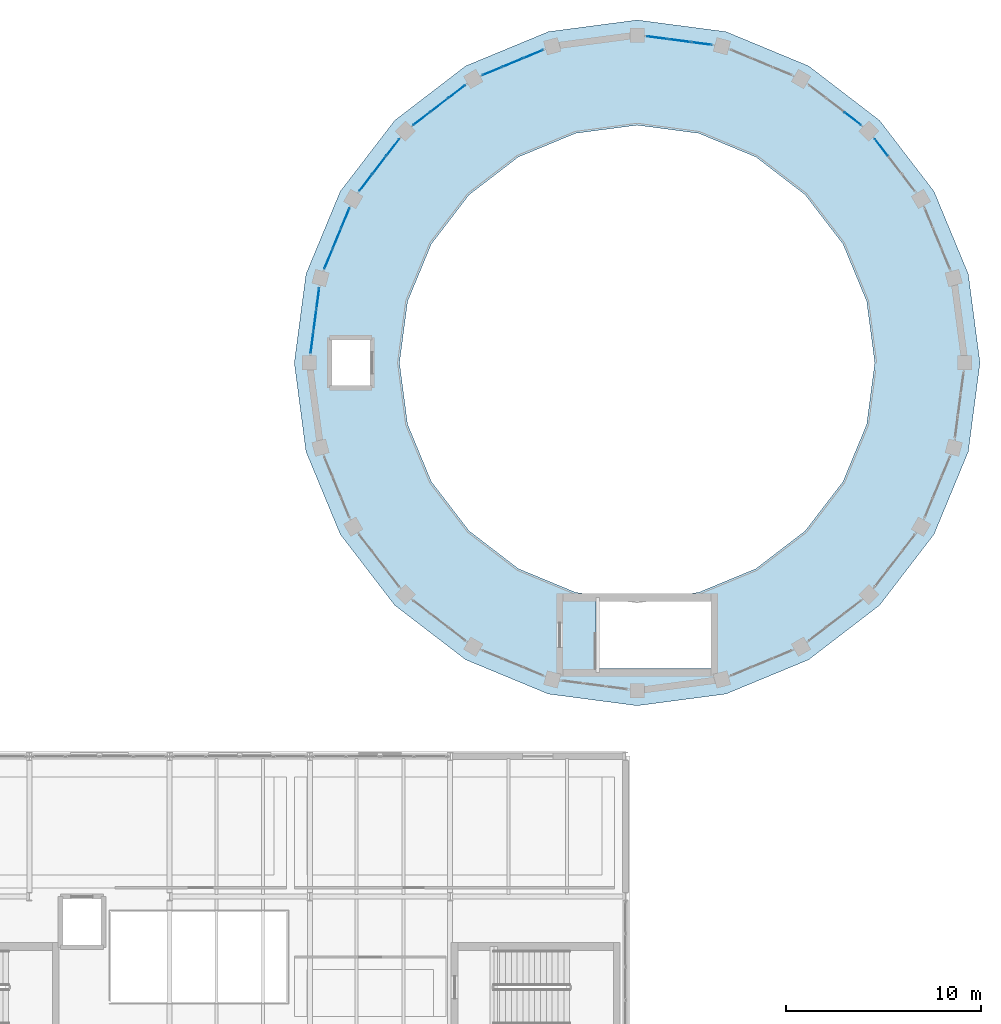
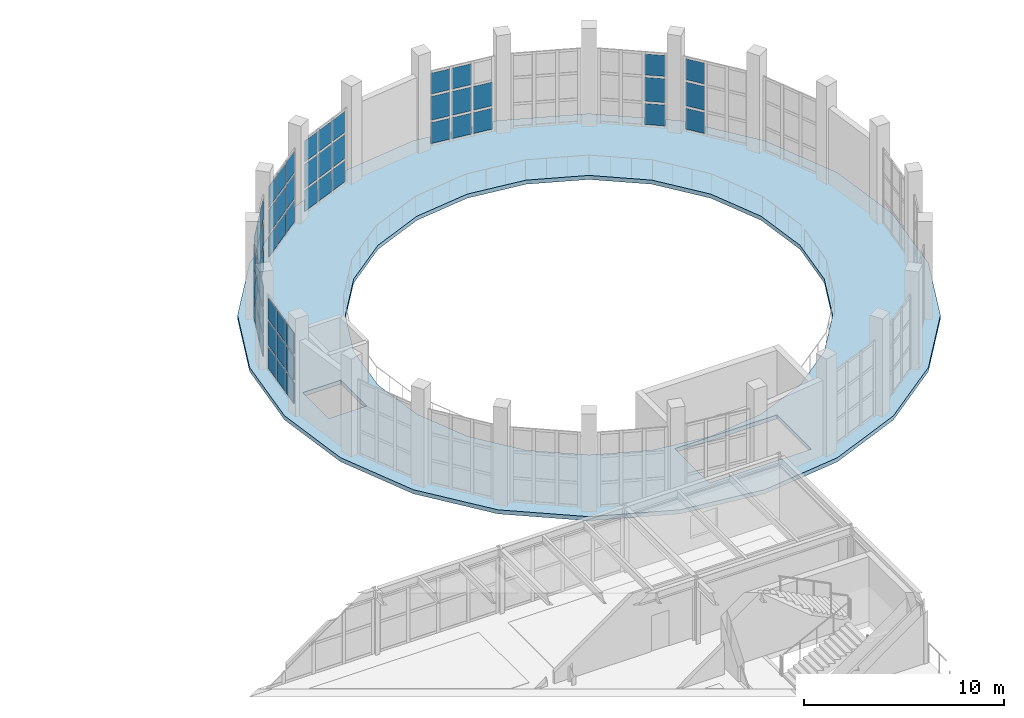
# One storey, part 38 of 59: 59 plates, 1 slab, 8 elements without a shape of their own.
"""IFC4 building model written with IfcOpenShell, lengths in metres."""

from ifc_helpers import new_model, si_unit, direction, frame, origin, origin_2d, place, context, subcontext, project, spatial, polyline, rectangle, outline, extrude, material, layer, layer_set, type_object, element, aggregate, save


model = new_model("IFC4")

# Units and contexts
model_context = context("Model", 3, precision=1e-05, world=origin(), true_north=direction((0.0, 1.0)))
body_context = subcontext(model_context, "Body", "Model", "MODEL_VIEW")
ifc_project = project(units=[si_unit("LENGTHUNIT", "METRE"), si_unit("AREAUNIT", "SQUARE_METRE"), si_unit("VOLUMEUNIT", "CUBIC_METRE"), si_unit("PLANEANGLEUNIT", "RADIAN"), si_unit("MASSUNIT", "GRAM", prefix="KILO")], contexts=[model_context])

# Site, building, storey
site_placement = place(None, origin())
site = spatial("IfcSite", under=ifc_project, at=site_placement, CompositionType="ELEMENT")
building_placement = place(site_placement, origin())
building = spatial("IfcBuilding", under=site, at=building_placement, Name="Kandorven Conservatory and Botanical Research Centre", CompositionType="ELEMENT")
storey_placement = place(building_placement, frame((0.0, 0.0, 4.800048828125)))
storey = spatial("IfcBuildingStorey", under=building, at=storey_placement, Name="L01", CompositionType="ELEMENT", Elevation=4.800048828125)

# Curtain wall, plates
ifc_material_1 = material(Name="Bronze anodised thermally broken aluminium", Category="aluminium")
ifc_layer_1 = layer(ifc_material_1, 0.179931640625)
ifc_layer_set_1 = layer_set([ifc_layer_1], Name="Bronze anodised thermally broken aluminium")
curtain_wall_type = type_object("IfcCurtainWallType", Name="CW_Clerestory", PredefinedType="USERDEFINED", material=ifc_layer_set_1)
curtain_wall_1_placement = place(storey_placement, origin())
curtain_wall_1 = element("IfcCurtainWall", 1, at=curtain_wall_1_placement, inside=storey, type_object=curtain_wall_type, Name="Conservatory drum clerestory glazing CW-DRUM-L01-03", ObjectType="CLERESTORY GLAZING", PredefinedType="USERDEFINED")
ifc_material_2 = material(Name="Double-glazed solar-control low-E glass", Category="glass")
ifc_layer_2 = layer(ifc_material_2, 0.028076171875)
ifc_layer_set_2 = layer_set([ifc_layer_2], Name="Double-glazed solar-control low-E glass")
plate_type = type_object("IfcPlateType", Name="CW_Panel", PredefinedType="CURTAIN_PANEL", material=ifc_layer_set_2)
plate_1_placement = place(storey_placement, frame((100.137451171875, 58.862548828125, 0.14990234375), z_axis=(0.0, 0.0, 1.0), x_axis=(-0.608769331471, 0.793347276456, 0.0)))
plate_1 = element("IfcPlate", 2, at=plate_1_placement, type_object=plate_type, Name="CW-02 panel 3.1", PredefinedType="CURTAIN_PANEL", context=body_context, shape_type="SweptSolid", body=[
    extrude(rectangle(XDim=1.044189453125, YDim=0.028076171875, at=origin_2d()), origin(), (0.0, 0.0, 1.0), 1.27490234375),
])
plate_2_placement = place(storey_placement, frame((100.137451171875, 58.862548828125, 1.5751953125), z_axis=(0.0, 0.0, 1.0), x_axis=(-0.608769331471, 0.793347276456, 0.0)))
plate_2 = element("IfcPlate", 3, at=plate_2_placement, type_object=plate_type, Name="CW-02 panel 3.2", PredefinedType="CURTAIN_PANEL", context=body_context, shape_type="SweptSolid", body=[
    extrude(rectangle(XDim=1.044189453125, YDim=0.028076171875, at=origin_2d()), origin(), (0.0, 0.0, 1.0), 1.449951171875),
])
plate_3_placement = place(storey_placement, frame((100.137451171875, 58.862548828125, 3.175048828125), z_axis=(0.0, 0.0, 1.0), x_axis=(-0.608769331471, 0.793347276456, 0.0)))
plate_3 = element("IfcPlate", 4, at=plate_3_placement, type_object=plate_type, Name="CW-02 panel 3.3", PredefinedType="CURTAIN_PANEL", context=body_context, shape_type="SweptSolid", body=[
    extrude(rectangle(XDim=1.044189453125, YDim=0.028076171875, at=origin_2d()), origin(), (0.0, 0.0, 1.0), 1.27490234375),
])
aggregate(curtain_wall_1, [plate_1, plate_2, plate_3])

curtain_wall_2_placement = place(storey_placement, origin())
curtain_wall_2 = element("IfcCurtainWall", 5, at=curtain_wall_2_placement, inside=storey, type_object=curtain_wall_type, Name="Conservatory drum clerestory glazing CW-DRUM-L01-04", ObjectType="CLERESTORY GLAZING", PredefinedType="USERDEFINED")
plate_4_placement = place(storey_placement, frame((98.662353515625, 60.33740234375, 0.14990234375), z_axis=(0.0, 0.0, 1.0), x_axis=(-0.793347276456, 0.608769331471, 0.0)))
plate_4 = element("IfcPlate", 6, at=plate_4_placement, type_object=plate_type, Name="CW-02 panel 1.1", PredefinedType="CURTAIN_PANEL", context=body_context, shape_type="SweptSolid", body=[
    extrude(rectangle(XDim=1.044189453125, YDim=0.028076171875, at=origin_2d()), origin(), (0.0, 0.0, 1.0), 1.27490234375),
])
plate_5_placement = place(storey_placement, frame((98.662353515625, 60.33740234375, 1.5751953125), z_axis=(0.0, 0.0, 1.0), x_axis=(-0.793347276456, 0.608769331471, 0.0)))
plate_5 = element("IfcPlate", 7, at=plate_5_placement, type_object=plate_type, Name="CW-02 panel 1.2", PredefinedType="CURTAIN_PANEL", context=body_context, shape_type="SweptSolid", body=[
    extrude(rectangle(XDim=1.044189453125, YDim=0.028076171875, at=origin_2d()), origin(), (0.0, 0.0, 1.0), 1.449951171875),
])
plate_6_placement = place(storey_placement, frame((98.662353515625, 60.33740234375, 3.175048828125), z_axis=(0.0, 0.0, 1.0), x_axis=(-0.793347276456, 0.608769331471, 0.0)))
plate_6 = element("IfcPlate", 8, at=plate_6_placement, type_object=plate_type, Name="CW-02 panel 1.3", PredefinedType="CURTAIN_PANEL", context=body_context, shape_type="SweptSolid", body=[
    extrude(rectangle(XDim=1.044189453125, YDim=0.028076171875, at=origin_2d()), origin(), (0.0, 0.0, 1.0), 1.27490234375),
])
aggregate(curtain_wall_2, [plate_4, plate_5, plate_6])

curtain_wall_3_placement = place(storey_placement, origin())
curtain_wall_3 = element("IfcCurtainWall", 9, at=curtain_wall_3_placement, inside=storey, type_object=curtain_wall_type, Name="Conservatory drum clerestory glazing CW-DRUM-L01-06", ObjectType="CLERESTORY GLAZING", PredefinedType="USERDEFINED")
plate_7_placement = place(storey_placement, frame((90.91162109375, 64.18896484375, 0.14990234375), z_axis=(0.0, 0.0, 1.0), x_axis=(-0.991441424913, 0.130552292075, 0.0)))
plate_7 = element("IfcPlate", 10, at=plate_7_placement, type_object=plate_type, Name="CW-02 panel 1.1", PredefinedType="CURTAIN_PANEL", context=body_context, shape_type="SweptSolid", body=[
    extrude(rectangle(XDim=1.0439453125, YDim=0.028076171875, at=origin_2d()), origin(), (0.0, 0.0, 1.0), 1.27490234375),
])
plate_8_placement = place(storey_placement, frame((90.91162109375, 64.18896484375, 1.5751953125), z_axis=(0.0, 0.0, 1.0), x_axis=(-0.991441424913, 0.130552292075, 0.0)))
plate_8 = element("IfcPlate", 11, at=plate_8_placement, type_object=plate_type, Name="CW-02 panel 1.2", PredefinedType="CURTAIN_PANEL", context=body_context, shape_type="SweptSolid", body=[
    extrude(rectangle(XDim=1.0439453125, YDim=0.028076171875, at=origin_2d()), origin(), (0.0, 0.0, 1.0), 1.449951171875),
])
plate_9_placement = place(storey_placement, frame((89.77734375, 64.33837890625, 0.14990234375), z_axis=(0.0, 0.0, 1.0), x_axis=(-0.991441424913, 0.130552292075, 0.0)))
plate_9 = element("IfcPlate", 12, at=plate_9_placement, type_object=plate_type, Name="CW-02 panel 2.1", PredefinedType="CURTAIN_PANEL", context=body_context, shape_type="SweptSolid", body=[
    extrude(rectangle(XDim=1.083984375, YDim=0.028076171875, at=origin_2d()), origin(), (0.0, 0.0, 1.0), 1.27490234375),
])
plate_10_placement = place(storey_placement, frame((89.77734375, 64.33837890625, 1.5751953125), z_axis=(0.0, 0.0, 1.0), x_axis=(-0.991441424913, 0.130552292075, 0.0)))
plate_10 = element("IfcPlate", 13, at=plate_10_placement, type_object=plate_type, Name="CW-02 panel 2.2", PredefinedType="CURTAIN_PANEL", context=body_context, shape_type="SweptSolid", body=[
    extrude(rectangle(XDim=1.083984375, YDim=0.028076171875, at=origin_2d()), origin(), (0.0, 0.0, 1.0), 1.449951171875),
])
plate_11_placement = place(storey_placement, frame((89.77734375, 64.33837890625, 3.175048828125), z_axis=(0.0, 0.0, 1.0), x_axis=(-0.991441424913, 0.130552292075, 0.0)))
plate_11 = element("IfcPlate", 14, at=plate_11_placement, type_object=plate_type, Name="CW-02 panel 2.3", PredefinedType="CURTAIN_PANEL", context=body_context, shape_type="SweptSolid", body=[
    extrude(rectangle(XDim=1.083984375, YDim=0.028076171875, at=origin_2d()), origin(), (0.0, 0.0, 1.0), 1.27490234375),
])
plate_12_placement = place(storey_placement, frame((88.64306640625, 64.48779296875, 0.14990234375), z_axis=(0.0, 0.0, 1.0), x_axis=(-0.991441424913, 0.130552292075, 0.0)))
plate_12 = element("IfcPlate", 15, at=plate_12_placement, type_object=plate_type, Name="CW-02 panel 3.1", PredefinedType="CURTAIN_PANEL", context=body_context, shape_type="SweptSolid", body=[
    extrude(rectangle(XDim=1.0439453125, YDim=0.028076171875, at=origin_2d()), origin(), (0.0, 0.0, 1.0), 1.27490234375),
])
plate_13_placement = place(storey_placement, frame((88.64306640625, 64.48779296875, 1.5751953125), z_axis=(0.0, 0.0, 1.0), x_axis=(-0.991441424913, 0.130552292075, 0.0)))
plate_13 = element("IfcPlate", 16, at=plate_13_placement, type_object=plate_type, Name="CW-02 panel 3.2", PredefinedType="CURTAIN_PANEL", context=body_context, shape_type="SweptSolid", body=[
    extrude(rectangle(XDim=1.0439453125, YDim=0.028076171875, at=origin_2d()), origin(), (0.0, 0.0, 1.0), 1.449951171875),
])
plate_14_placement = place(storey_placement, frame((88.64306640625, 64.48779296875, 3.175048828125), z_axis=(0.0, 0.0, 1.0), x_axis=(-0.991441424913, 0.130552292075, 0.0)))
plate_14 = element("IfcPlate", 17, at=plate_14_placement, type_object=plate_type, Name="CW-02 panel 3.3", PredefinedType="CURTAIN_PANEL", context=body_context, shape_type="SweptSolid", body=[
    extrude(rectangle(XDim=1.0439453125, YDim=0.028076171875, at=origin_2d()), origin(), (0.0, 0.0, 1.0), 1.27490234375),
])
aggregate(curtain_wall_3, [plate_7, plate_8, plate_9, plate_10, plate_11, plate_12, plate_13, plate_14])

curtain_wall_4_placement = place(storey_placement, origin())
curtain_wall_4 = element("IfcCurtainWall", 18, at=curtain_wall_4_placement, inside=storey, type_object=curtain_wall_type, Name="Conservatory drum clerestory glazing CW-DRUM-L01-08", ObjectType="CLERESTORY GLAZING", PredefinedType="USERDEFINED")
plate_15_placement = place(storey_placement, frame((82.2734375, 63.649169921875, 0.14990234375), z_axis=(0.0, 0.0, 1.0), x_axis=(-0.92388561262, -0.382668753353, 0.0)))
plate_15 = element("IfcPlate", 19, at=plate_15_placement, type_object=plate_type, Name="CW-02 panel 1.1", PredefinedType="CURTAIN_PANEL", context=body_context, shape_type="SweptSolid", body=[
    extrude(rectangle(XDim=1.044189453125, YDim=0.028076171875, at=origin_2d()), origin(), (0.0, 0.0, 1.0), 1.27490234375),
])
plate_16_placement = place(storey_placement, frame((82.2734375, 63.649169921875, 1.5751953125), z_axis=(0.0, 0.0, 1.0), x_axis=(-0.92388561262, -0.382668753353, 0.0)))
plate_16 = element("IfcPlate", 20, at=plate_16_placement, type_object=plate_type, Name="CW-02 panel 1.2", PredefinedType="CURTAIN_PANEL", context=body_context, shape_type="SweptSolid", body=[
    extrude(rectangle(XDim=1.044189453125, YDim=0.028076171875, at=origin_2d()), origin(), (0.0, 0.0, 1.0), 1.449951171875),
])
plate_17_placement = place(storey_placement, frame((82.2734375, 63.649169921875, 3.175048828125), z_axis=(0.0, 0.0, 1.0), x_axis=(-0.92388561262, -0.382668753353, 0.0)))
plate_17 = element("IfcPlate", 21, at=plate_17_placement, type_object=plate_type, Name="CW-02 panel 1.3", PredefinedType="CURTAIN_PANEL", context=body_context, shape_type="SweptSolid", body=[
    extrude(rectangle(XDim=1.044189453125, YDim=0.028076171875, at=origin_2d()), origin(), (0.0, 0.0, 1.0), 1.27490234375),
])
plate_18_placement = place(storey_placement, frame((81.216552734375, 63.211181640625, 0.14990234375), z_axis=(0.0, 0.0, 1.0), x_axis=(-0.92388561262, -0.382668753353, 0.0)))
plate_18 = element("IfcPlate", 22, at=plate_18_placement, type_object=plate_type, Name="CW-02 panel 2.1", PredefinedType="CURTAIN_PANEL", context=body_context, shape_type="SweptSolid", body=[
    extrude(rectangle(XDim=1.083984375, YDim=0.028076171875, at=origin_2d()), origin(), (0.0, 0.0, 1.0), 1.27490234375),
])
plate_19_placement = place(storey_placement, frame((81.216552734375, 63.211181640625, 1.5751953125), z_axis=(0.0, 0.0, 1.0), x_axis=(-0.92388561262, -0.382668753353, 0.0)))
plate_19 = element("IfcPlate", 23, at=plate_19_placement, type_object=plate_type, Name="CW-02 panel 2.2", PredefinedType="CURTAIN_PANEL", context=body_context, shape_type="SweptSolid", body=[
    extrude(rectangle(XDim=1.083984375, YDim=0.028076171875, at=origin_2d()), origin(), (0.0, 0.0, 1.0), 1.449951171875),
])
plate_20_placement = place(storey_placement, frame((81.216552734375, 63.211181640625, 3.175048828125), z_axis=(0.0, 0.0, 1.0), x_axis=(-0.92388561262, -0.382668753353, 0.0)))
plate_20 = element("IfcPlate", 24, at=plate_20_placement, type_object=plate_type, Name="CW-02 panel 2.3", PredefinedType="CURTAIN_PANEL", context=body_context, shape_type="SweptSolid", body=[
    extrude(rectangle(XDim=1.083984375, YDim=0.028076171875, at=origin_2d()), origin(), (0.0, 0.0, 1.0), 1.27490234375),
])
plate_21_placement = place(storey_placement, frame((80.159423828125, 62.7734375, 0.14990234375), z_axis=(0.0, 0.0, 1.0), x_axis=(-0.92388561262, -0.382668753353, 0.0)))
plate_21 = element("IfcPlate", 25, at=plate_21_placement, type_object=plate_type, Name="CW-02 panel 3.1", PredefinedType="CURTAIN_PANEL", context=body_context, shape_type="SweptSolid", body=[
    extrude(rectangle(XDim=1.044189453125, YDim=0.028076171875, at=origin_2d()), origin(), (0.0, 0.0, 1.0), 1.27490234375),
])
plate_22_placement = place(storey_placement, frame((80.159423828125, 62.7734375, 1.5751953125), z_axis=(0.0, 0.0, 1.0), x_axis=(-0.92388561262, -0.382668753353, 0.0)))
plate_22 = element("IfcPlate", 26, at=plate_22_placement, type_object=plate_type, Name="CW-02 panel 3.2", PredefinedType="CURTAIN_PANEL", context=body_context, shape_type="SweptSolid", body=[
    extrude(rectangle(XDim=1.044189453125, YDim=0.028076171875, at=origin_2d()), origin(), (0.0, 0.0, 1.0), 1.449951171875),
])
plate_23_placement = place(storey_placement, frame((80.159423828125, 62.7734375, 3.175048828125), z_axis=(0.0, 0.0, 1.0), x_axis=(-0.92388561262, -0.382668753353, 0.0)))
plate_23 = element("IfcPlate", 27, at=plate_23_placement, type_object=plate_type, Name="CW-02 panel 3.3", PredefinedType="CURTAIN_PANEL", context=body_context, shape_type="SweptSolid", body=[
    extrude(rectangle(XDim=1.044189453125, YDim=0.028076171875, at=origin_2d()), origin(), (0.0, 0.0, 1.0), 1.27490234375),
])
aggregate(curtain_wall_4, [plate_15, plate_16, plate_17, plate_18, plate_19, plate_20, plate_21, plate_22, plate_23])

curtain_wall_5_placement = place(storey_placement, origin())
curtain_wall_5 = element("IfcCurtainWall", 28, at=curtain_wall_5_placement, inside=storey, type_object=curtain_wall_type, Name="Conservatory drum clerestory glazing CW-DRUM-L01-09", ObjectType="CLERESTORY GLAZING", PredefinedType="USERDEFINED")
plate_24_placement = place(storey_placement, frame((78.352783203125, 61.73046875, 0.14990234375), z_axis=(0.0, 0.0, 1.0), x_axis=(-0.793347276456, -0.608769331471, 0.0)))
plate_24 = element("IfcPlate", 29, at=plate_24_placement, type_object=plate_type, Name="CW-02 panel 1.1", PredefinedType="CURTAIN_PANEL", context=body_context, shape_type="SweptSolid", body=[
    extrude(rectangle(XDim=1.044189453125, YDim=0.028076171875, at=origin_2d()), origin(), (0.0, 0.0, 1.0), 1.27490234375),
])
plate_25_placement = place(storey_placement, frame((78.352783203125, 61.73046875, 1.5751953125), z_axis=(0.0, 0.0, 1.0), x_axis=(-0.793347276456, -0.608769331471, 0.0)))
plate_25 = element("IfcPlate", 30, at=plate_25_placement, type_object=plate_type, Name="CW-02 panel 1.2", PredefinedType="CURTAIN_PANEL", context=body_context, shape_type="SweptSolid", body=[
    extrude(rectangle(XDim=1.044189453125, YDim=0.028076171875, at=origin_2d()), origin(), (0.0, 0.0, 1.0), 1.449951171875),
])
plate_26_placement = place(storey_placement, frame((78.352783203125, 61.73046875, 3.175048828125), z_axis=(0.0, 0.0, 1.0), x_axis=(-0.793347276456, -0.608769331471, 0.0)))
plate_26 = element("IfcPlate", 31, at=plate_26_placement, type_object=plate_type, Name="CW-02 panel 1.3", PredefinedType="CURTAIN_PANEL", context=body_context, shape_type="SweptSolid", body=[
    extrude(rectangle(XDim=1.044189453125, YDim=0.028076171875, at=origin_2d()), origin(), (0.0, 0.0, 1.0), 1.27490234375),
])
plate_27_placement = place(storey_placement, frame((77.4453125, 61.033935546875, 0.14990234375), z_axis=(0.0, 0.0, 1.0), x_axis=(-0.793347276456, -0.608769331471, 0.0)))
plate_27 = element("IfcPlate", 32, at=plate_27_placement, type_object=plate_type, Name="CW-02 panel 2.1", PredefinedType="CURTAIN_PANEL", context=body_context, shape_type="SweptSolid", body=[
    extrude(rectangle(XDim=1.083984375, YDim=0.028076171875, at=origin_2d()), origin(), (0.0, 0.0, 1.0), 1.27490234375),
])
plate_28_placement = place(storey_placement, frame((77.4453125, 61.033935546875, 1.5751953125), z_axis=(0.0, 0.0, 1.0), x_axis=(-0.793347276456, -0.608769331471, 0.0)))
plate_28 = element("IfcPlate", 33, at=plate_28_placement, type_object=plate_type, Name="CW-02 panel 2.2", PredefinedType="CURTAIN_PANEL", context=body_context, shape_type="SweptSolid", body=[
    extrude(rectangle(XDim=1.083984375, YDim=0.028076171875, at=origin_2d()), origin(), (0.0, 0.0, 1.0), 1.449951171875),
])
plate_29_placement = place(storey_placement, frame((77.4453125, 61.033935546875, 3.175048828125), z_axis=(0.0, 0.0, 1.0), x_axis=(-0.793347276456, -0.608769331471, 0.0)))
plate_29 = element("IfcPlate", 34, at=plate_29_placement, type_object=plate_type, Name="CW-02 panel 2.3", PredefinedType="CURTAIN_PANEL", context=body_context, shape_type="SweptSolid", body=[
    extrude(rectangle(XDim=1.083984375, YDim=0.028076171875, at=origin_2d()), origin(), (0.0, 0.0, 1.0), 1.27490234375),
])
plate_30_placement = place(storey_placement, frame((76.53759765625, 60.33740234375, 0.14990234375), z_axis=(0.0, 0.0, 1.0), x_axis=(-0.793347276456, -0.608769331471, 0.0)))
plate_30 = element("IfcPlate", 35, at=plate_30_placement, type_object=plate_type, Name="CW-02 panel 3.1", PredefinedType="CURTAIN_PANEL", context=body_context, shape_type="SweptSolid", body=[
    extrude(rectangle(XDim=1.044189453125, YDim=0.028076171875, at=origin_2d()), origin(), (0.0, 0.0, 1.0), 1.27490234375),
])
plate_31_placement = place(storey_placement, frame((76.53759765625, 60.33740234375, 1.5751953125), z_axis=(0.0, 0.0, 1.0), x_axis=(-0.793347276456, -0.608769331471, 0.0)))
plate_31 = element("IfcPlate", 36, at=plate_31_placement, type_object=plate_type, Name="CW-02 panel 3.2", PredefinedType="CURTAIN_PANEL", context=body_context, shape_type="SweptSolid", body=[
    extrude(rectangle(XDim=1.044189453125, YDim=0.028076171875, at=origin_2d()), origin(), (0.0, 0.0, 1.0), 1.449951171875),
])
plate_32_placement = place(storey_placement, frame((76.53759765625, 60.33740234375, 3.175048828125), z_axis=(0.0, 0.0, 1.0), x_axis=(-0.793347276456, -0.608769331471, 0.0)))
plate_32 = element("IfcPlate", 37, at=plate_32_placement, type_object=plate_type, Name="CW-02 panel 3.3", PredefinedType="CURTAIN_PANEL", context=body_context, shape_type="SweptSolid", body=[
    extrude(rectangle(XDim=1.044189453125, YDim=0.028076171875, at=origin_2d()), origin(), (0.0, 0.0, 1.0), 1.27490234375),
])
aggregate(curtain_wall_5, [plate_24, plate_25, plate_26, plate_27, plate_28, plate_29, plate_30, plate_31, plate_32])

curtain_wall_6_placement = place(storey_placement, origin())
curtain_wall_6 = element("IfcCurtainWall", 38, at=curtain_wall_6_placement, inside=storey, type_object=curtain_wall_type, Name="Conservatory drum clerestory glazing CW-DRUM-L01-10", ObjectType="CLERESTORY GLAZING", PredefinedType="USERDEFINED")
plate_33_placement = place(storey_placement, frame((75.0625, 58.862548828125, 0.14990234375), z_axis=(0.0, 0.0, 1.0), x_axis=(-0.608769331471, -0.793347276456, 0.0)))
plate_33 = element("IfcPlate", 39, at=plate_33_placement, type_object=plate_type, Name="CW-02 panel 1.1", PredefinedType="CURTAIN_PANEL", context=body_context, shape_type="SweptSolid", body=[
    extrude(rectangle(XDim=1.044189453125, YDim=0.028076171875, at=origin_2d()), origin(), (0.0, 0.0, 1.0), 1.27490234375),
])
plate_34_placement = place(storey_placement, frame((75.0625, 58.862548828125, 1.5751953125), z_axis=(0.0, 0.0, 1.0), x_axis=(-0.608769331471, -0.793347276456, 0.0)))
plate_34 = element("IfcPlate", 40, at=plate_34_placement, type_object=plate_type, Name="CW-02 panel 1.2", PredefinedType="CURTAIN_PANEL", context=body_context, shape_type="SweptSolid", body=[
    extrude(rectangle(XDim=1.044189453125, YDim=0.028076171875, at=origin_2d()), origin(), (0.0, 0.0, 1.0), 1.449951171875),
])
plate_35_placement = place(storey_placement, frame((75.0625, 58.862548828125, 3.175048828125), z_axis=(0.0, 0.0, 1.0), x_axis=(-0.608769331471, -0.793347276456, 0.0)))
plate_35 = element("IfcPlate", 41, at=plate_35_placement, type_object=plate_type, Name="CW-02 panel 1.3", PredefinedType="CURTAIN_PANEL", context=body_context, shape_type="SweptSolid", body=[
    extrude(rectangle(XDim=1.044189453125, YDim=0.028076171875, at=origin_2d()), origin(), (0.0, 0.0, 1.0), 1.27490234375),
])
plate_36_placement = place(storey_placement, frame((74.365966796875, 57.954833984375, 0.14990234375), z_axis=(0.0, 0.0, 1.0), x_axis=(-0.608769331471, -0.793347276456, 0.0)))
plate_36 = element("IfcPlate", 42, at=plate_36_placement, type_object=plate_type, Name="CW-02 panel 2.1", PredefinedType="CURTAIN_PANEL", context=body_context, shape_type="SweptSolid", body=[
    extrude(rectangle(XDim=1.083984375, YDim=0.028076171875, at=origin_2d()), origin(), (0.0, 0.0, 1.0), 1.27490234375),
])
plate_37_placement = place(storey_placement, frame((74.365966796875, 57.954833984375, 1.5751953125), z_axis=(0.0, 0.0, 1.0), x_axis=(-0.608769331471, -0.793347276456, 0.0)))
plate_37 = element("IfcPlate", 43, at=plate_37_placement, type_object=plate_type, Name="CW-02 panel 2.2", PredefinedType="CURTAIN_PANEL", context=body_context, shape_type="SweptSolid", body=[
    extrude(rectangle(XDim=1.083984375, YDim=0.028076171875, at=origin_2d()), origin(), (0.0, 0.0, 1.0), 1.449951171875),
])
plate_38_placement = place(storey_placement, frame((74.365966796875, 57.954833984375, 3.175048828125), z_axis=(0.0, 0.0, 1.0), x_axis=(-0.608769331471, -0.793347276456, 0.0)))
plate_38 = element("IfcPlate", 44, at=plate_38_placement, type_object=plate_type, Name="CW-02 panel 2.3", PredefinedType="CURTAIN_PANEL", context=body_context, shape_type="SweptSolid", body=[
    extrude(rectangle(XDim=1.083984375, YDim=0.028076171875, at=origin_2d()), origin(), (0.0, 0.0, 1.0), 1.27490234375),
])
plate_39_placement = place(storey_placement, frame((73.66943359375, 57.047119140625, 0.14990234375), z_axis=(0.0, 0.0, 1.0), x_axis=(-0.608769331471, -0.793347276456, 0.0)))
plate_39 = element("IfcPlate", 45, at=plate_39_placement, type_object=plate_type, Name="CW-02 panel 3.1", PredefinedType="CURTAIN_PANEL", context=body_context, shape_type="SweptSolid", body=[
    extrude(rectangle(XDim=1.044189453125, YDim=0.028076171875, at=origin_2d()), origin(), (0.0, 0.0, 1.0), 1.27490234375),
])
plate_40_placement = place(storey_placement, frame((73.66943359375, 57.047119140625, 1.5751953125), z_axis=(0.0, 0.0, 1.0), x_axis=(-0.608769331471, -0.793347276456, 0.0)))
plate_40 = element("IfcPlate", 46, at=plate_40_placement, type_object=plate_type, Name="CW-02 panel 3.2", PredefinedType="CURTAIN_PANEL", context=body_context, shape_type="SweptSolid", body=[
    extrude(rectangle(XDim=1.044189453125, YDim=0.028076171875, at=origin_2d()), origin(), (0.0, 0.0, 1.0), 1.449951171875),
])
plate_41_placement = place(storey_placement, frame((73.66943359375, 57.047119140625, 3.175048828125), z_axis=(0.0, 0.0, 1.0), x_axis=(-0.608769331471, -0.793347276456, 0.0)))
plate_41 = element("IfcPlate", 47, at=plate_41_placement, type_object=plate_type, Name="CW-02 panel 3.3", PredefinedType="CURTAIN_PANEL", context=body_context, shape_type="SweptSolid", body=[
    extrude(rectangle(XDim=1.044189453125, YDim=0.028076171875, at=origin_2d()), origin(), (0.0, 0.0, 1.0), 1.27490234375),
])
aggregate(curtain_wall_6, [plate_33, plate_34, plate_35, plate_36, plate_37, plate_38, plate_39, plate_40, plate_41])

curtain_wall_7_placement = place(storey_placement, origin())
curtain_wall_7 = element("IfcCurtainWall", 48, at=curtain_wall_7_placement, inside=storey, type_object=curtain_wall_type, Name="Conservatory drum clerestory glazing CW-DRUM-L01-11", ObjectType="CLERESTORY GLAZING", PredefinedType="USERDEFINED")
plate_42_placement = place(storey_placement, frame((72.62646484375, 55.240478515625, 0.14990234375), z_axis=(0.0, 0.0, 1.0), x_axis=(-0.382668753353, -0.92388561262, 0.0)))
plate_42 = element("IfcPlate", 49, at=plate_42_placement, type_object=plate_type, Name="CW-02 panel 1.1", PredefinedType="CURTAIN_PANEL", context=body_context, shape_type="SweptSolid", body=[
    extrude(rectangle(XDim=1.044189453125, YDim=0.028076171875, at=origin_2d()), origin(), (0.0, 0.0, 1.0), 1.27490234375),
])
plate_43_placement = place(storey_placement, frame((72.62646484375, 55.240478515625, 1.5751953125), z_axis=(0.0, 0.0, 1.0), x_axis=(-0.382668753353, -0.92388561262, 0.0)))
plate_43 = element("IfcPlate", 50, at=plate_43_placement, type_object=plate_type, Name="CW-02 panel 1.2", PredefinedType="CURTAIN_PANEL", context=body_context, shape_type="SweptSolid", body=[
    extrude(rectangle(XDim=1.044189453125, YDim=0.028076171875, at=origin_2d()), origin(), (0.0, 0.0, 1.0), 1.449951171875),
])
plate_44_placement = place(storey_placement, frame((72.62646484375, 55.240478515625, 3.175048828125), z_axis=(0.0, 0.0, 1.0), x_axis=(-0.382668753353, -0.92388561262, 0.0)))
plate_44 = element("IfcPlate", 51, at=plate_44_placement, type_object=plate_type, Name="CW-02 panel 1.3", PredefinedType="CURTAIN_PANEL", context=body_context, shape_type="SweptSolid", body=[
    extrude(rectangle(XDim=1.044189453125, YDim=0.028076171875, at=origin_2d()), origin(), (0.0, 0.0, 1.0), 1.27490234375),
])
plate_45_placement = place(storey_placement, frame((72.188720703125, 54.18359375, 0.14990234375), z_axis=(0.0, 0.0, 1.0), x_axis=(-0.382668753353, -0.92388561262, 0.0)))
plate_45 = element("IfcPlate", 52, at=plate_45_placement, type_object=plate_type, Name="CW-02 panel 2.1", PredefinedType="CURTAIN_PANEL", context=body_context, shape_type="SweptSolid", body=[
    extrude(rectangle(XDim=1.083984375, YDim=0.028076171875, at=origin_2d()), origin(), (0.0, 0.0, 1.0), 1.27490234375),
])
plate_46_placement = place(storey_placement, frame((72.188720703125, 54.18359375, 1.5751953125), z_axis=(0.0, 0.0, 1.0), x_axis=(-0.382668753353, -0.92388561262, 0.0)))
plate_46 = element("IfcPlate", 53, at=plate_46_placement, type_object=plate_type, Name="CW-02 panel 2.2", PredefinedType="CURTAIN_PANEL", context=body_context, shape_type="SweptSolid", body=[
    extrude(rectangle(XDim=1.083984375, YDim=0.028076171875, at=origin_2d()), origin(), (0.0, 0.0, 1.0), 1.449951171875),
])
plate_47_placement = place(storey_placement, frame((72.188720703125, 54.18359375, 3.175048828125), z_axis=(0.0, 0.0, 1.0), x_axis=(-0.382668753353, -0.92388561262, 0.0)))
plate_47 = element("IfcPlate", 54, at=plate_47_placement, type_object=plate_type, Name="CW-02 panel 2.3", PredefinedType="CURTAIN_PANEL", context=body_context, shape_type="SweptSolid", body=[
    extrude(rectangle(XDim=1.083984375, YDim=0.028076171875, at=origin_2d()), origin(), (0.0, 0.0, 1.0), 1.27490234375),
])
plate_48_placement = place(storey_placement, frame((71.7509765625, 53.12646484375, 0.14990234375), z_axis=(0.0, 0.0, 1.0), x_axis=(-0.382668753353, -0.92388561262, 0.0)))
plate_48 = element("IfcPlate", 55, at=plate_48_placement, type_object=plate_type, Name="CW-02 panel 3.1", PredefinedType="CURTAIN_PANEL", context=body_context, shape_type="SweptSolid", body=[
    extrude(rectangle(XDim=1.044189453125, YDim=0.028076171875, at=origin_2d()), origin(), (0.0, 0.0, 1.0), 1.27490234375),
])
plate_49_placement = place(storey_placement, frame((71.7509765625, 53.12646484375, 1.5751953125), z_axis=(0.0, 0.0, 1.0), x_axis=(-0.382668753353, -0.92388561262, 0.0)))
plate_49 = element("IfcPlate", 56, at=plate_49_placement, type_object=plate_type, Name="CW-02 panel 3.2", PredefinedType="CURTAIN_PANEL", context=body_context, shape_type="SweptSolid", body=[
    extrude(rectangle(XDim=1.044189453125, YDim=0.028076171875, at=origin_2d()), origin(), (0.0, 0.0, 1.0), 1.449951171875),
])
plate_50_placement = place(storey_placement, frame((71.7509765625, 53.12646484375, 3.175048828125), z_axis=(0.0, 0.0, 1.0), x_axis=(-0.382668753353, -0.92388561262, 0.0)))
plate_50 = element("IfcPlate", 57, at=plate_50_placement, type_object=plate_type, Name="CW-02 panel 3.3", PredefinedType="CURTAIN_PANEL", context=body_context, shape_type="SweptSolid", body=[
    extrude(rectangle(XDim=1.044189453125, YDim=0.028076171875, at=origin_2d()), origin(), (0.0, 0.0, 1.0), 1.27490234375),
])
aggregate(curtain_wall_7, [plate_42, plate_43, plate_44, plate_45, plate_46, plate_47, plate_48, plate_49, plate_50])

curtain_wall_8_placement = place(storey_placement, origin())
curtain_wall_8 = element("IfcCurtainWall", 58, at=curtain_wall_8_placement, inside=storey, type_object=curtain_wall_type, Name="Conservatory drum clerestory glazing CW-DRUM-L01-12", ObjectType="CLERESTORY GLAZING", PredefinedType="USERDEFINED")
plate_51_placement = place(storey_placement, frame((71.2109375, 51.111572265625, 0.14990234375), z_axis=(0.0, 0.0, 1.0), x_axis=(-0.130552292075, -0.991441424913, 0.0)))
plate_51 = element("IfcPlate", 59, at=plate_51_placement, type_object=plate_type, Name="CW-02 panel 1.1", PredefinedType="CURTAIN_PANEL", context=body_context, shape_type="SweptSolid", body=[
    extrude(rectangle(XDim=1.0439453125, YDim=0.028076171875, at=origin_2d()), origin(), (0.0, 0.0, 1.0), 1.27490234375),
])
plate_52_placement = place(storey_placement, frame((71.2109375, 51.111572265625, 1.5751953125), z_axis=(0.0, 0.0, 1.0), x_axis=(-0.130552292075, -0.991441424913, 0.0)))
plate_52 = element("IfcPlate", 60, at=plate_52_placement, type_object=plate_type, Name="CW-02 panel 1.2", PredefinedType="CURTAIN_PANEL", context=body_context, shape_type="SweptSolid", body=[
    extrude(rectangle(XDim=1.0439453125, YDim=0.028076171875, at=origin_2d()), origin(), (0.0, 0.0, 1.0), 1.449951171875),
])
plate_53_placement = place(storey_placement, frame((71.2109375, 51.111572265625, 3.175048828125), z_axis=(0.0, 0.0, 1.0), x_axis=(-0.130552292075, -0.991441424913, 0.0)))
plate_53 = element("IfcPlate", 61, at=plate_53_placement, type_object=plate_type, Name="CW-02 panel 1.3", PredefinedType="CURTAIN_PANEL", context=body_context, shape_type="SweptSolid", body=[
    extrude(rectangle(XDim=1.0439453125, YDim=0.028076171875, at=origin_2d()), origin(), (0.0, 0.0, 1.0), 1.27490234375),
])
plate_54_placement = place(storey_placement, frame((71.061767578125, 49.977294921875, 0.14990234375), z_axis=(0.0, 0.0, 1.0), x_axis=(-0.130552292075, -0.991441424913, 0.0)))
plate_54 = element("IfcPlate", 62, at=plate_54_placement, type_object=plate_type, Name="CW-02 panel 2.1", PredefinedType="CURTAIN_PANEL", context=body_context, shape_type="SweptSolid", body=[
    extrude(rectangle(XDim=1.083984375, YDim=0.028076171875, at=origin_2d()), origin(), (0.0, 0.0, 1.0), 1.27490234375),
])
plate_55_placement = place(storey_placement, frame((71.061767578125, 49.977294921875, 1.5751953125), z_axis=(0.0, 0.0, 1.0), x_axis=(-0.130552292075, -0.991441424913, 0.0)))
plate_55 = element("IfcPlate", 63, at=plate_55_placement, type_object=plate_type, Name="CW-02 panel 2.2", PredefinedType="CURTAIN_PANEL", context=body_context, shape_type="SweptSolid", body=[
    extrude(rectangle(XDim=1.083984375, YDim=0.028076171875, at=origin_2d()), origin(), (0.0, 0.0, 1.0), 1.449951171875),
])
plate_56_placement = place(storey_placement, frame((71.061767578125, 49.977294921875, 3.175048828125), z_axis=(0.0, 0.0, 1.0), x_axis=(-0.130552292075, -0.991441424913, 0.0)))
plate_56 = element("IfcPlate", 64, at=plate_56_placement, type_object=plate_type, Name="CW-02 panel 2.3", PredefinedType="CURTAIN_PANEL", context=body_context, shape_type="SweptSolid", body=[
    extrude(rectangle(XDim=1.083984375, YDim=0.028076171875, at=origin_2d()), origin(), (0.0, 0.0, 1.0), 1.27490234375),
])
plate_57_placement = place(storey_placement, frame((70.912353515625, 48.843017578125, 0.14990234375), z_axis=(0.0, 0.0, 1.0), x_axis=(-0.130552292075, -0.991441424913, 0.0)))
plate_57 = element("IfcPlate", 65, at=plate_57_placement, type_object=plate_type, Name="CW-02 panel 3.1", PredefinedType="CURTAIN_PANEL", context=body_context, shape_type="SweptSolid", body=[
    extrude(rectangle(XDim=1.0439453125, YDim=0.028076171875, at=origin_2d()), origin(), (0.0, 0.0, 1.0), 1.27490234375),
])
plate_58_placement = place(storey_placement, frame((70.912353515625, 48.843017578125, 1.5751953125), z_axis=(0.0, 0.0, 1.0), x_axis=(-0.130552292075, -0.991441424913, 0.0)))
plate_58 = element("IfcPlate", 66, at=plate_58_placement, type_object=plate_type, Name="CW-02 panel 3.2", PredefinedType="CURTAIN_PANEL", context=body_context, shape_type="SweptSolid", body=[
    extrude(rectangle(XDim=1.0439453125, YDim=0.028076171875, at=origin_2d()), origin(), (0.0, 0.0, 1.0), 1.449951171875),
])
plate_59_placement = place(storey_placement, frame((70.912353515625, 48.843017578125, 3.175048828125), z_axis=(0.0, 0.0, 1.0), x_axis=(-0.130552292075, -0.991441424913, 0.0)))
plate_59 = element("IfcPlate", 67, at=plate_59_placement, type_object=plate_type, Name="CW-02 panel 3.3", PredefinedType="CURTAIN_PANEL", context=body_context, shape_type="SweptSolid", body=[
    extrude(rectangle(XDim=1.0439453125, YDim=0.028076171875, at=origin_2d()), origin(), (0.0, 0.0, 1.0), 1.27490234375),
])
aggregate(curtain_wall_8, [plate_51, plate_52, plate_53, plate_54, plate_55, plate_56, plate_57, plate_58, plate_59])

# Slab
ifc_material_3 = material(Name="Concrete C32/40 (M40)", Category="concrete")
ifc_layer_3 = layer(ifc_material_3, 0.25)
ifc_layer_set_3 = layer_set([ifc_layer_3], Name="Concrete C32/40 (M40)")
slab_type = type_object("IfcSlabType", Name="Slab_SL-06", PredefinedType="FLOOR", material=ifc_layer_set_3)
slab_placement = place(storey_placement, frame((0.0, 0.0, -0.25)))
element("IfcSlab", 68, at=slab_placement, inside=storey, type_object=slab_type, Name="Conservatory L01 elevated annular canopy walkway slab", PredefinedType="FLOOR", context=body_context, shape_type="SweptSolid", body=[
    extrude(outline(polyline([(105.199951171875, 47.800048828125), (104.600341796875, 52.355224609375), (102.842041015625, 56.60009765625), (100.045166015625, 60.2451171875), (96.39990234375, 63.0419921875), (92.1552734375, 64.80029296875), (87.60009765625, 65.39990234375), (83.044921875, 64.80029296875), (78.800048828125, 63.0419921875), (75.15478515625, 60.2451171875), (72.35791015625, 56.60009765625), (70.599609375, 52.355224609375), (70.0, 47.800048828125), (70.599609375, 43.244873046875), (72.35791015625, 39.0), (75.15478515625, 35.35498046875), (78.800048828125, 32.55810546875), (83.044921875, 30.7998046875), (87.60009765625, 30.199951171875), (92.1552734375, 30.7998046875), (96.39990234375, 32.55810546875), (100.045166015625, 35.35498046875), (102.842041015625, 39.0), (104.600341796875, 43.244873046875), (105.199951171875, 47.800048828125)]), holes=[polyline([(99.800048828125, 47.800048828125), (99.38427734375, 50.95751953125), (98.16552734375, 53.89990234375), (96.226806640625, 56.4267578125), (93.699951171875, 58.365478515625), (90.757568359375, 59.584228515625), (87.60009765625, 60.0), (84.4423828125, 59.584228515625), (81.5, 58.365478515625), (78.973388671875, 56.4267578125), (77.034423828125, 53.89990234375), (75.815673828125, 50.95751953125), (75.39990234375, 47.800048828125), (75.815673828125, 44.642333984375), (77.034423828125, 41.699951171875), (78.973388671875, 39.17333984375), (81.5, 37.234619140625), (84.4423828125, 36.015625), (87.60009765625, 35.60009765625), (90.757568359375, 36.015625), (93.699951171875, 37.234619140625), (96.226806640625, 39.17333984375), (98.16552734375, 41.699951171875), (99.38427734375, 44.642333984375), (99.800048828125, 47.800048828125)]), polyline([(85.5, 32.10009765625), (91.39990234375, 32.10009765625), (91.39990234375, 35.550048828125), (85.5, 35.550048828125), (85.5, 32.10009765625)]), polyline([(71.800048828125, 46.5), (74.0, 46.5), (74.0, 49.10009765625), (71.800048828125, 49.10009765625), (71.800048828125, 46.5)])]), origin(), (0.0, 0.0, 1.0), 0.25),
])

save(model, "model.ifc")
